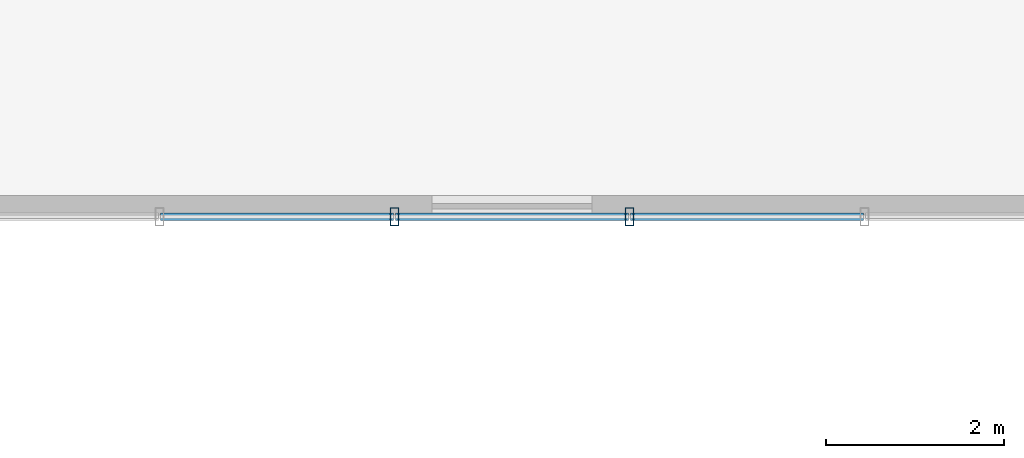
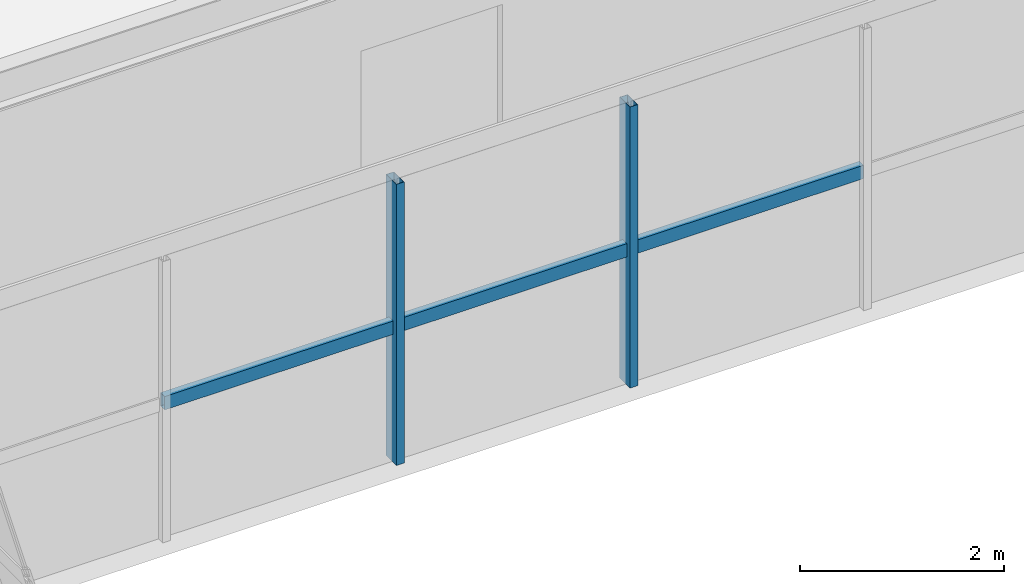
# One storey, part 9 of 35: 5 members, 1 element without a shape of its own.
"""IFC4 building model written with IfcOpenShell, lengths in metres."""

from ifc_helpers import new_model, si_unit, direction, frame, origin, origin_2d, place, context, subcontext, project, spatial, hollow_rectangle, extrude, source, transform, mapped, material, material_profile, profile_set, type_object, element, aggregate, save


model = new_model("IFC4")

# Units and contexts
model_context = context("Model", 3, precision=1e-05, world=origin(), true_north=direction((0.0, 1.0)))
body_context = subcontext(model_context, "Body", "Model", "MODEL_VIEW")
ifc_project = project(units=[si_unit("LENGTHUNIT", "METRE"), si_unit("AREAUNIT", "SQUARE_METRE"), si_unit("VOLUMEUNIT", "CUBIC_METRE"), si_unit("PLANEANGLEUNIT", "RADIAN"), si_unit("MASSUNIT", "GRAM", prefix="KILO")], contexts=[model_context])

# Site, building, storey
site_placement = place(None, origin())
site = spatial("IfcSite", under=ifc_project, at=site_placement, CompositionType="ELEMENT")
building_placement = place(site_placement, origin())
building = spatial("IfcBuilding", under=site, at=building_placement, Name="Trelvane Seafront Commons", CompositionType="ELEMENT")
storey_placement = place(building_placement, frame((0.0, 0.0, 194.10009765625)))
storey = spatial("IfcBuildingStorey", under=building, at=storey_placement, Name="L50", CompositionType="ELEMENT", Elevation=194.10009765625)

# Curtain wall, members
ifc_material = material(Name="Anodised pale-silver aluminium", Category="aluminium")
curtain_wall_type = type_object("IfcCurtainWallType", Name="ARCH-CW3-PORTAL", PredefinedType="NOTDEFINED", material=ifc_material)
curtain_wall_placement = place(storey_placement, origin())
curtain_wall = element("IfcCurtainWall", 1, at=curtain_wall_placement, inside=storey, type_object=curtain_wall_type, Name="CW-L50-VP-0081", PredefinedType="NOTDEFINED")
ifc_material_profile_1 = material_profile(ifc_material, hollow_rectangle(XDim=0.090087890625, YDim=0.199951171875, WallThickness=0.0048828125, at=origin_2d()), Name="MULL-90x200x5")
ifc_profile_set_1 = profile_set([ifc_material_profile_1], Name="Anodised pale-silver aluminium")
member_type_1 = type_object("IfcMemberType", Name="ARCH-CW-MULL-200", PredefinedType="MULLION", material=ifc_profile_set_1)
shared_shape_1 = source(origin(), body_context, "Body", "SweptSolid", [
    extrude(hollow_rectangle(XDim=0.090087890625, YDim=0.199951171875, WallThickness=0.0048828125, at=origin_2d()), origin(), (0.0, 0.0, 1.0), 3.35986328125),
])
member_1_placement = place(storey_placement, frame((35.8798828125, 29.800048828125, 0.0), z_axis=(0.0, 0.0, 1.0), x_axis=(1.0, 0.0, 0.0)))
member_1 = element("IfcMember", 2, at=member_1_placement, type_object=member_type_1, Name="CW-L50-VP-0081-M02", PredefinedType="MULLION", context=body_context, shape_type="MappedRepresentation", body=[
    mapped(shared_shape_1, transform((0.0, 0.0, 0.0), x_axis=(1.0, 0.0, 0.0), y_axis=(0.0, 1.0, 0.0), z_axis=(0.0, 0.0, 1.0), scale=1.0)),
])
member_2_placement = place(storey_placement, frame((38.52001953125, 29.800048828125, 0.0), z_axis=(0.0, 0.0, 1.0), x_axis=(1.0, 0.0, 0.0)))
member_2 = element("IfcMember", 3, at=member_2_placement, type_object=member_type_1, Name="CW-L50-VP-0081-M03", PredefinedType="MULLION", context=body_context, shape_type="MappedRepresentation", body=[
    mapped(shared_shape_1, transform((0.0, 0.0, 0.0), x_axis=(1.0, 0.0, 0.0), y_axis=(0.0, 1.0, 0.0), z_axis=(0.0, 0.0, 1.0), scale=1.0)),
])
ifc_material_profile_2 = material_profile(ifc_material, hollow_rectangle(XDim=0.080078125, YDim=0.159912109375, WallThickness=0.00439453125, at=origin_2d()), Name="TRAN-80x160x4.5")
ifc_profile_set_2 = profile_set([ifc_material_profile_2], Name="Anodised pale-silver aluminium")
member_type_2 = type_object("IfcMemberType", Name="ARCH-CW-TRAN-160", PredefinedType="USERDEFINED", material=ifc_profile_set_2)
shared_shape_2 = source(origin(), body_context, "Body", "SweptSolid", [
    extrude(hollow_rectangle(XDim=0.080078125, YDim=0.159912109375, WallThickness=0.00439453125, at=origin_2d()), origin(), (0.0, 0.0, 1.0), 2.615966796875),
])
member_3_placement = place(storey_placement, frame((33.251953125, 29.800048828125, 1.61279296875), z_axis=(1.0, 0.0, 0.0), x_axis=(0.0, 1.0, 0.0)))
member_3 = element("IfcMember", 4, at=member_3_placement, type_object=member_type_2, Name="CW-L50-VP-0081-T01", ObjectType="TRANSOM", PredefinedType="USERDEFINED", context=body_context, shape_type="MappedRepresentation", body=[
    mapped(shared_shape_2, transform((0.0, 0.0, 0.0), x_axis=(1.0, 0.0, 0.0), y_axis=(0.0, 1.0, 0.0), z_axis=(0.0, 0.0, 1.0), scale=1.0)),
])
member_4_placement = place(storey_placement, frame((35.89208984375, 29.800048828125, 1.61279296875), z_axis=(1.0, 0.0, 0.0), x_axis=(0.0, 1.0, 0.0)))
member_4 = element("IfcMember", 5, at=member_4_placement, type_object=member_type_2, Name="CW-L50-VP-0081-T02", ObjectType="TRANSOM", PredefinedType="USERDEFINED", context=body_context, shape_type="MappedRepresentation", body=[
    mapped(shared_shape_2, transform((0.0, 0.0, 0.0), x_axis=(1.0, 0.0, 0.0), y_axis=(0.0, 1.0, 0.0), z_axis=(0.0, 0.0, 1.0), scale=1.0)),
])
member_5_placement = place(storey_placement, frame((38.531982421875, 29.800048828125, 1.61279296875), z_axis=(1.0, 0.0, 0.0), x_axis=(0.0, 1.0, 0.0)))
member_5 = element("IfcMember", 6, at=member_5_placement, type_object=member_type_2, Name="CW-L50-VP-0081-T03", ObjectType="TRANSOM", PredefinedType="USERDEFINED", context=body_context, shape_type="MappedRepresentation", body=[
    mapped(shared_shape_2, transform((0.0, 0.0, 0.0), x_axis=(1.0, 0.0, 0.0), y_axis=(0.0, 1.0, 0.0), z_axis=(0.0, 0.0, 1.0), scale=1.0)),
])
aggregate(curtain_wall, [member_1, member_2, member_3, member_4, member_5])

save(model, "model.ifc")
